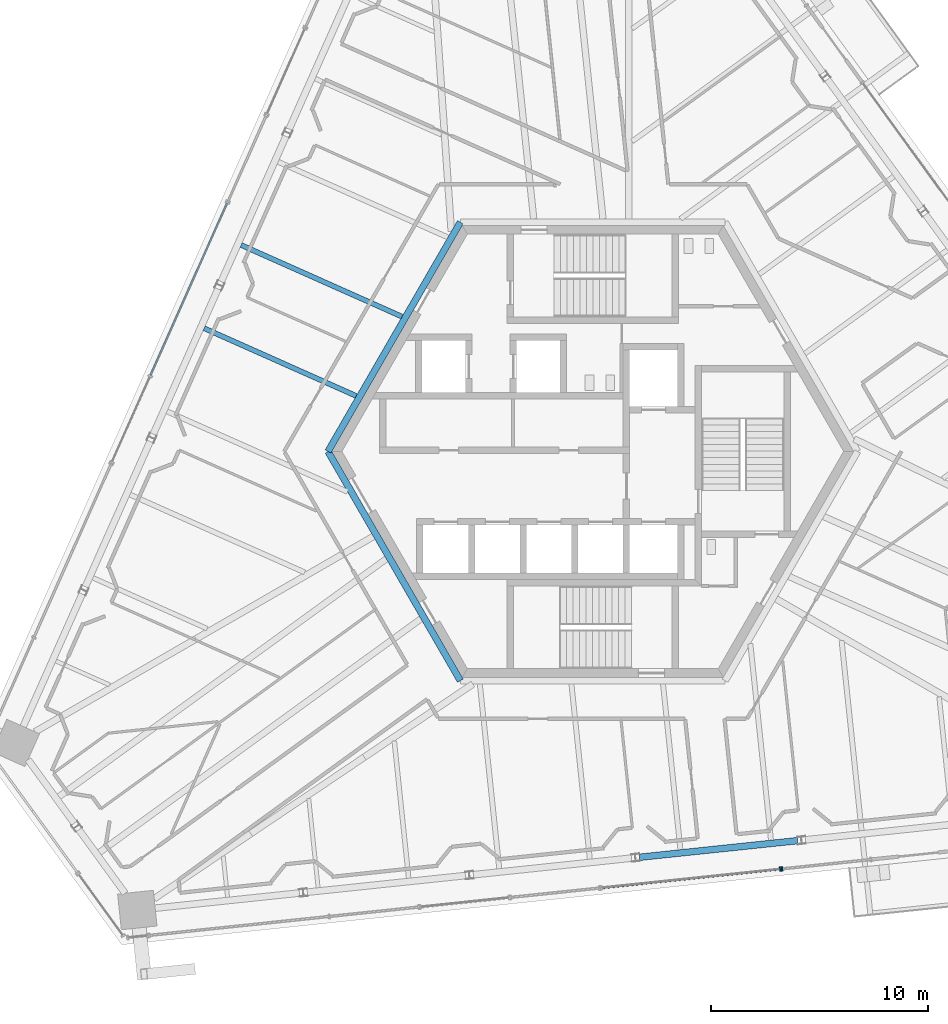
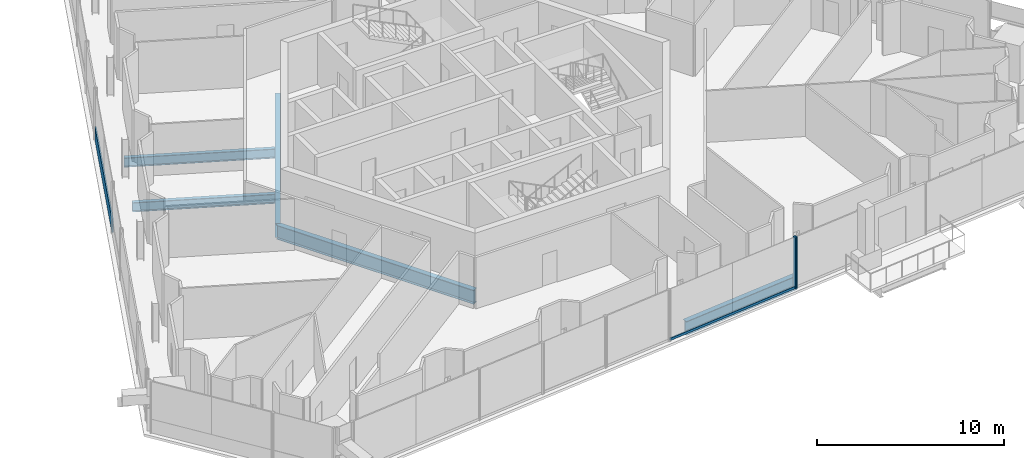
# One storey, part 6 of 26: 5 beams, 4 members, 3 elements without a shape of their own.
"""IFC4 building model written with IfcOpenShell, lengths in metres."""

from ifc_helpers import new_model, si_unit, direction, frame, origin, origin_2d, place, context, subcontext, project, spatial, rectangle, i_section, extrude, source, transform, mapped, material, material_profile, profile_set, type_object, element, aggregate, save


model = new_model("IFC4")

# Units and contexts
model_context = context("Model", 3, precision=1e-05, world=origin(), true_north=direction((0.0, 1.0)))
body_context = subcontext(model_context, "Body", "Model", "MODEL_VIEW")
ifc_project = project(units=[si_unit("LENGTHUNIT", "METRE"), si_unit("AREAUNIT", "SQUARE_METRE"), si_unit("VOLUMEUNIT", "CUBIC_METRE"), si_unit("PLANEANGLEUNIT", "RADIAN"), si_unit("MASSUNIT", "GRAM", prefix="KILO")], contexts=[model_context])

# Site, building, storey
site_placement = place(None, origin())
site = spatial("IfcSite", under=ifc_project, at=site_placement, CompositionType="ELEMENT")
building_placement = place(site_placement, origin())
building = spatial("IfcBuilding", under=site, at=building_placement, Name="Triune Harvest Tower", CompositionType="ELEMENT")
storey_placement = place(building_placement, frame((0.0, 0.0, 252.10009765625)))
storey = spatial("IfcBuildingStorey", under=building, at=storey_placement, Name="L66", CompositionType="ELEMENT", Elevation=252.10009765625)

# Curtain wall, member
ifc_material_1 = material(Name="Aluminium bronze anodised", Category="aluminium")
curtain_wall_type_1 = type_object("IfcCurtainWallType", Name="CW-6 Balcony window wall", PredefinedType="NOTDEFINED", material=ifc_material_1)
curtain_wall_1_placement = place(storey_placement, origin())
curtain_wall_1 = element("IfcCurtainWall", 1, at=curtain_wall_1_placement, inside=storey, type_object=curtain_wall_type_1, Name="CW-6 B6-F5 L66 run 3201")
ifc_material_2 = material(Name="Aluminium bronze anodised", Category="aluminium")
ifc_material_profile_1 = material_profile(ifc_material_2, rectangle(XDim=0.090087890625, YDim=0.14990234375, at=origin_2d()), Name="TR-6 transom 90 x 150")
ifc_profile_set_1 = profile_set([ifc_material_profile_1], Name="Aluminium bronze anodised")
member_type_1 = type_object("IfcMemberType", Name="TR-6 transom 90 x 150", PredefinedType="USERDEFINED", material=ifc_profile_set_1)
member_1_placement = place(storey_placement, frame((0.424560546875, -20.069091796875, 0.074951171875), z_axis=(0.994520431584, 0.104542389304, 0.0), x_axis=(-0.104542389304, 0.994520431584, 0.0)))
member_1 = element("IfcMember", 2, at=member_1_placement, type_object=member_type_1, Name="CW-6 transom B6-F5 3201.1", ObjectType="TRANSOM", PredefinedType="USERDEFINED", context=body_context, shape_type="SweptSolid", body=[
    extrude(rectangle(XDim=0.090087890625, YDim=0.14990234375, at=origin_2d()), origin(), (0.0, 0.0, 1.0), 8.2109375),
])

# Beams
ifc_material_3 = material(Name="Steel ASTM A992 Gr 50", Category="steel")
ifc_material_profile_2 = material_profile(ifc_material_3, i_section(OverallWidth=0.3046875, OverallDepth=0.914306640625, WebThickness=0.0166015625, FlangeThickness=0.02587890625, at=origin_2d()), Name="W36x160")
ifc_profile_set_2 = profile_set([ifc_material_profile_2], Name="Steel ASTM A992 Gr 50")
beam_type_1 = type_object("IfcBeamType", Name="CG-1 Core ring girder W36x160", PredefinedType="BEAM", material=ifc_profile_set_2)
shared_shape_1 = source(origin(), body_context, "Body", "SweptSolid", [
    extrude(i_section(OverallWidth=0.3046875, OverallDepth=0.914306640625, WebThickness=0.0166015625, FlangeThickness=0.02587890625, at=origin_2d()), origin(), (0.0, 0.0, 1.0), 12.176025390625),
])
for number, where, z_axis, x_axis, name in (
    (3, (-6.087890625, 10.544677734375, -0.6171875), (-0.5000099932, -0.866019634131, 0.0), (0.866019634131, -0.5000099932, 0.0), "beam/L66/CG3"),
    (4, (-12.176025390625, 0.0, -0.6171875), (0.5000099932, -0.866019634131, 0.0), (0.866019634131, 0.5000099932, 0.0), "beam/L66/CG4"),
):
    element("IfcBeam", number, at=place(storey_placement, frame(where, z_axis=z_axis, x_axis=x_axis)), inside=storey, type_object=beam_type_1, Name=name, PredefinedType="BEAM", context=body_context, shape_type="MappedRepresentation", body=[
        mapped(shared_shape_1, transform((0.0, 0.0, 0.0), scale=1.0)),
    ])
ifc_material_4 = material(Name="Steel ASTM A992 Gr 50", Category="steel")
ifc_material_profile_3 = material_profile(ifc_material_4, i_section(OverallWidth=0.3046875, OverallDepth=0.914306640625, WebThickness=0.0166015625, FlangeThickness=0.02587890625, at=origin_2d()), Name="W36x160")
ifc_profile_set_3 = profile_set([ifc_material_profile_3], Name="Steel ASTM A992 Gr 50")
beam_type_2 = type_object("IfcBeamType", Name="SB-1 Spandrel beam W36x160", PredefinedType="SPANDREL", material=ifc_profile_set_3)
shared_shape_2 = source(origin(), body_context, "Body", "SweptSolid", [
    extrude(i_section(OverallWidth=0.3046875, OverallDepth=0.914306640625, WebThickness=0.0166015625, FlangeThickness=0.02587890625, at=origin_2d()), origin(), (0.0, 0.0, 1.0), 7.311279296875),
])
beam_1_placement = place(storey_placement, frame((2.14697265625, -18.665771484375, -0.6171875), z_axis=(0.994523004189, 0.104517913008, 0.0), x_axis=(-0.104517913008, 0.994523004189, 0.0)))
element("IfcBeam", 5, at=beam_1_placement, inside=storey, type_object=beam_type_2, Name="beam/L66/SB20", PredefinedType="SPANDREL", context=body_context, shape_type="MappedRepresentation", body=[
    mapped(shared_shape_2, transform((0.0, 0.0, 0.0), scale=1.0)),
])
ifc_material_5 = material(Name="Steel ASTM A992 Gr 50", Category="steel")
ifc_material_profile_4 = material_profile(ifc_material_5, i_section(OverallWidth=0.22900390625, OverallDepth=0.612060546875, WebThickness=0.011962890625, FlangeThickness=0.01953125, at=origin_2d()), Name="W24x84")
ifc_profile_set_4 = profile_set([ifc_material_profile_4], Name="Steel ASTM A992 Gr 50")
beam_type_3 = type_object("IfcBeamType", Name="JT-3 Floor joist W24x84", PredefinedType="JOIST", material=ifc_profile_set_4)
shared_shape_3 = source(origin(), body_context, "Body", "SweptSolid", [
    extrude(i_section(OverallWidth=0.22900390625, OverallDepth=0.612060546875, WebThickness=0.011962890625, FlangeThickness=0.01953125, at=origin_2d()), origin(), (0.0, 0.0, 1.0), 8.099609375),
])
beam_2_placement = place(storey_placement, frame((-16.172607421875, 9.4931640625, -0.46630859375), z_axis=(0.913545356779, -0.406736869618, 0.0), x_axis=(0.406736869618, 0.913545356779, 0.0)))
element("IfcBeam", 6, at=beam_2_placement, inside=storey, type_object=beam_type_3, Name="beam/L66/JT17", PredefinedType="JOIST", context=body_context, shape_type="MappedRepresentation", body=[
    mapped(shared_shape_3, transform((0.0, 0.0, 0.0), scale=1.0)),
])
shared_shape_4 = source(origin(), body_context, "Body", "SweptSolid", [
    extrude(i_section(OverallWidth=0.22900390625, OverallDepth=0.612060546875, WebThickness=0.011962890625, FlangeThickness=0.01953125, at=origin_2d()), origin(), (0.0, 0.0, 1.0), 7.659423828125),
])
beam_3_placement = place(storey_placement, frame((-17.876220703125, 5.66650390625, -0.46630859375), z_axis=(0.913536623341, -0.406756484663, 0.0), x_axis=(0.406756484663, 0.913536623341, 0.0)))
element("IfcBeam", 7, at=beam_3_placement, inside=storey, type_object=beam_type_3, Name="beam/L66/JT18", PredefinedType="JOIST", context=body_context, shape_type="MappedRepresentation", body=[
    mapped(shared_shape_4, transform((0.0, 0.0, 0.0), scale=1.0)),
])

# Member
ifc_material_6 = material(Name="Aluminium bronze anodised", Category="aluminium")
ifc_material_profile_5 = material_profile(ifc_material_6, rectangle(XDim=0.199951171875, YDim=0.074951171875, at=origin_2d()), Name="MU-6 mullion 75 x 200")
ifc_profile_set_5 = profile_set([ifc_material_profile_5], Name="Aluminium bronze anodised")
member_type_2 = type_object("IfcMemberType", Name="MU-6 mullion 75 x 200", PredefinedType="MULLION", material=ifc_profile_set_5)
shared_shape_5 = source(origin(), body_context, "Body", "SweptSolid", [
    extrude(rectangle(XDim=0.199951171875, YDim=0.074951171875, at=origin_2d()), origin(), (0.0, 0.0, 1.0), 3.349853515625),
])
member_2_placement = place(storey_placement, frame((8.6279296875, -19.206787109375, 0.0), z_axis=(0.0, 0.0, 1.0), x_axis=(-0.104531627937, 0.994521562743, 0.0)))
member_2 = element("IfcMember", 8, at=member_2_placement, type_object=member_type_2, Name="CW-6 mullion B6-F5 3201.3", PredefinedType="MULLION", context=body_context, shape_type="MappedRepresentation", body=[
    mapped(shared_shape_5, transform((0.0, 0.0, 0.0), scale=1.0)),
])

aggregate(curtain_wall_1, [member_2, member_1])

# Curtain wall, member
ifc_material_7 = material(Name="Aluminium bronze anodised", Category="aluminium")
curtain_wall_type_2 = type_object("IfcCurtainWallType", Name="CW-10 Balcony window wall with insulated spandrel infill", PredefinedType="NOTDEFINED", material=ifc_material_7)
curtain_wall_2_placement = place(storey_placement, origin())
curtain_wall_2 = element("IfcCurtainWall", 9, at=curtain_wall_2_placement, inside=storey, type_object=curtain_wall_type_2, Name="CW-10 B6-F5 L66 run 4201")
member_3_placement = place(storey_placement, frame((8.702392578125, -19.198974609375, 0.0), z_axis=(0.0, 0.0, 1.0), x_axis=(-0.104532871319, 0.994521432054, 0.0)))
member_3 = element("IfcMember", 10, at=member_3_placement, type_object=member_type_2, Name="CW-10 mullion B6-F5 4201.1", PredefinedType="MULLION", context=body_context, shape_type="MappedRepresentation", body=[
    mapped(shared_shape_5, transform((0.0, 0.0, 0.0), scale=1.0)),
])
aggregate(curtain_wall_2, [member_3])

ifc_material_8 = material(Name="Aluminium bronze anodised", Category="aluminium")
curtain_wall_type_3 = type_object("IfcCurtainWallType", Name="CW-1 Tower stick curtain wall", PredefinedType="NOTDEFINED", material=ifc_material_8)
curtain_wall_3_placement = place(storey_placement, origin())
curtain_wall_3 = element("IfcCurtainWall", 11, at=curtain_wall_3_placement, inside=storey, type_object=curtain_wall_type_3, Name="CW-1 B6-F3 L66 run 3201")
ifc_material_9 = material(Name="Aluminium bronze anodised", Category="aluminium")
ifc_material_profile_6 = material_profile(ifc_material_9, rectangle(XDim=0.090087890625, YDim=0.89990234375, at=origin_2d()), Name="TR-1 transom 90 x 900")
ifc_profile_set_6 = profile_set([ifc_material_profile_6], Name="Aluminium bronze anodised")
member_type_3 = type_object("IfcMemberType", Name="TR-1 transom 90 x 900", PredefinedType="USERDEFINED", material=ifc_profile_set_6)
shared_shape_6 = source(origin(), body_context, "Body", "SweptSolid", [
    extrude(rectangle(XDim=0.090087890625, YDim=0.89990234375, at=origin_2d()), origin(), (0.0, 0.0, 1.0), 8.656494140625),
])
member_4_placement = place(storey_placement, frame((-16.818603515625, 11.405517578125, 0.449951171875), z_axis=(-0.406716693349, -0.913554339572, 0.0), x_axis=(0.913554339572, -0.406716693349, 0.0)))
member_4 = element("IfcMember", 12, at=member_4_placement, type_object=member_type_3, Name="CW-1 transom B6-F3 3201.1", ObjectType="TRANSOM", PredefinedType="USERDEFINED", context=body_context, shape_type="MappedRepresentation", body=[
    mapped(shared_shape_6, transform((0.0, 0.0, 0.0), scale=1.0)),
])
aggregate(curtain_wall_3, [member_4])

save(model, "model.ifc")
